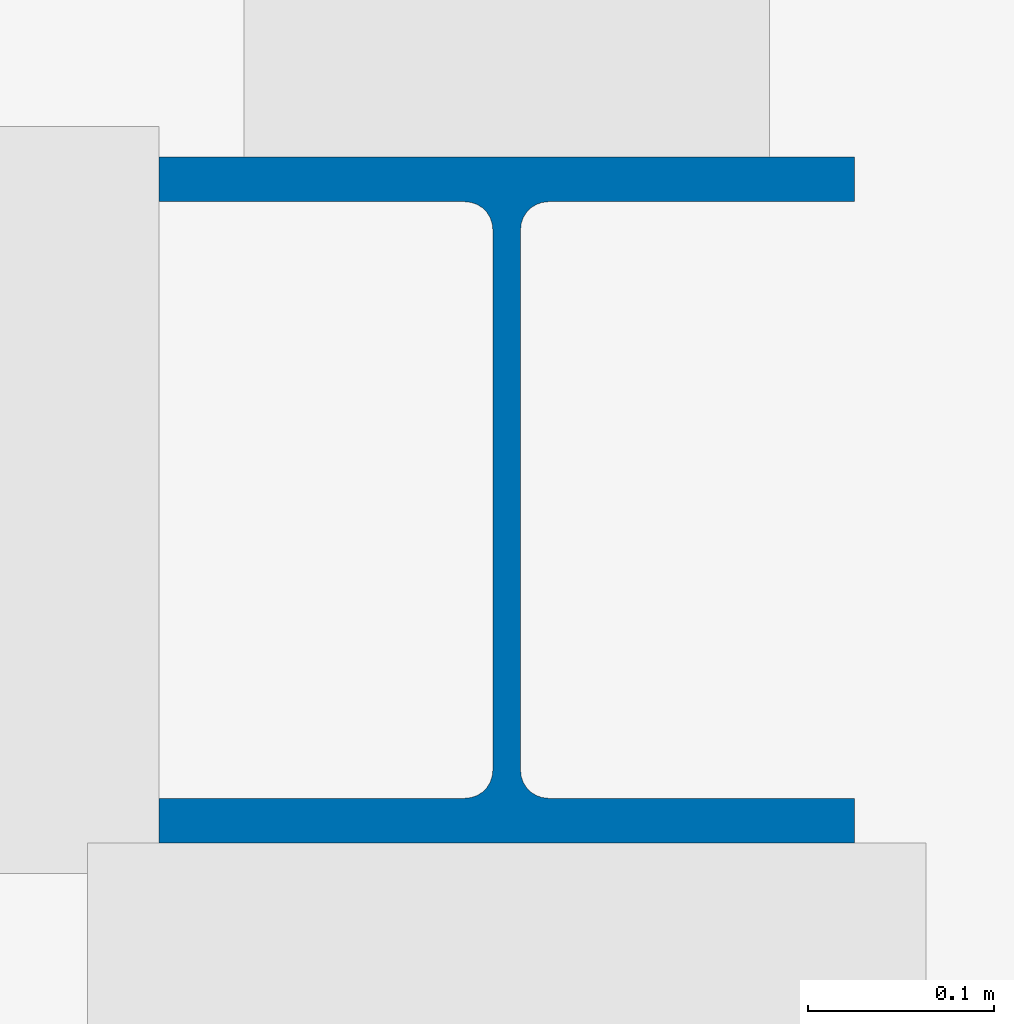
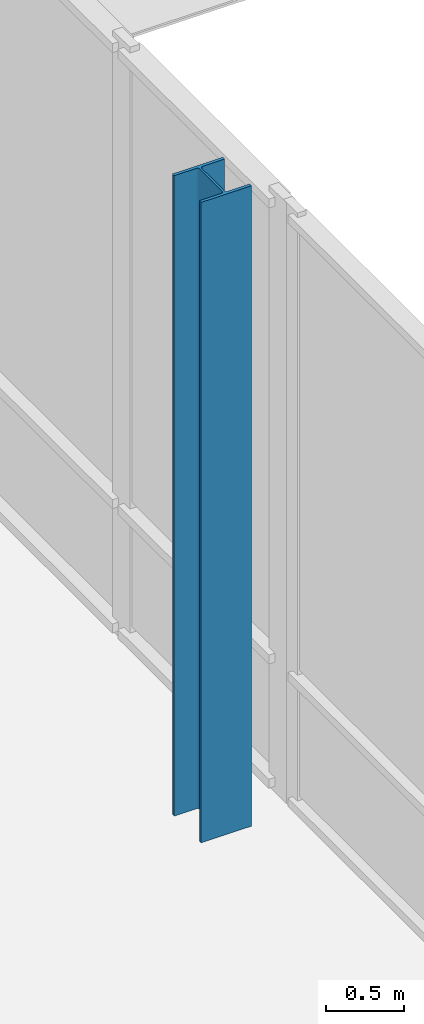
# One storey, part 12 of 88: 1 column.
"""IFC4 building model written with IfcOpenShell, lengths in metres."""

import ifcopenshell
import ifcopenshell.guid

model = None  # the IFC model being written
_history = None  # IfcOwnerHistory: only IFC2X3 demands one
_inside = {}  # id of a spatial element -> (the spatial element, [elements in it])
_under = {}  # id of a project, library or spatial element -> (it, [spatial elements below it])
_declared = {}  # id of a project -> (the project, [libraries it declares])
_typed = {}  # id of a type object -> (the type object, [elements of that type])
_made_of = {}  # id of a material, layer set ... -> (it, [elements and type objects made of it])


def new_model(schema):
    """Start an empty IFC model of exactly this schema.

    Asked for "IFC4X3", IfcOpenShell would pick the latest addendum, in which some entities
    have other attributes; the version numbers below select the first issue.
    IFC2X3 requires an IfcOwnerHistory on every rooted entity: one is made here for all.
    """
    global model, _history
    if schema == "IFC4X3":
        model = ifcopenshell.file(schema_version=(4, 3, 0, 0))
    else:
        model = ifcopenshell.file(schema=schema)
    _inside.clear()
    _under.clear()
    _declared.clear()
    _typed.clear()
    _made_of.clear()
    _history = None
    if model.schema == "IFC2X3":
        org = make("IfcOrganization", Name="unknown")
        user = make(
            "IfcPersonAndOrganization",
            ThePerson=make("IfcPerson", FamilyName="unknown"),
            TheOrganization=org,
        )
        app = make(
            "IfcApplication",
            ApplicationDeveloper=org,
            Version="unknown",
            ApplicationFullName="unknown",
            ApplicationIdentifier="unknown",
        )
        _history = make(
            "IfcOwnerHistory",
            OwningUser=user,
            OwningApplication=app,
            ChangeAction="ADDED",
            CreationDate=0,
        )
    return model


def make(cls, **values):
    """One entity of the class cls with the attributes given. An attribute that is None is left unset."""
    return model.create_entity(
        cls, **{name: value for name, value in values.items() if value is not None}
    )


def rooted(cls, **values):
    """An entity with a GlobalId (a new one), such as an element, a storey or a relation."""
    return make(cls, GlobalId=ifcopenshell.guid.new(), OwnerHistory=_history, **values)


def si_unit(unit_type, name, prefix=None):
    """IfcSIUnit, for example si_unit("LENGTHUNIT", "METRE", prefix="MILLI")."""
    return make("IfcSIUnit", UnitType=unit_type, Prefix=prefix, Name=name)


def assignment(units):
    """IfcUnitAssignment: the units of a project."""
    return None if units is None else make("IfcUnitAssignment", Units=units)


def point(xyz):
    """IfcCartesianPoint."""
    return None if xyz is None else make("IfcCartesianPoint", Coordinates=xyz)


def direction(xyz):
    """IfcDirection."""
    return None if xyz is None else make("IfcDirection", DirectionRatios=xyz)


def frame(location, z_axis=None, x_axis=None):
    """IfcAxis2Placement3D, a coordinate frame: its origin and axes. An axis left out is left unset."""
    return make(
        "IfcAxis2Placement3D",
        Location=point(location),
        Axis=direction(z_axis),
        RefDirection=direction(x_axis),
    )


def frame_2d(location, x_axis=None):
    """IfcAxis2Placement2D, a coordinate frame in the plane: its origin and x axis."""
    return make(
        "IfcAxis2Placement2D", Location=point(location), RefDirection=direction(x_axis)
    )


def origin():
    """The frame at (0, 0, 0) with its axes left unset."""
    return frame((0.0, 0.0, 0.0))


def origin_2d():
    """The frame at (0, 0) in the plane with its x axis left unset."""
    return frame_2d((0.0, 0.0))


def place(relative_to, where):
    """IfcLocalPlacement: puts the frame where relative to a parent placement (None: the world)."""
    return make(
        "IfcLocalPlacement", PlacementRelTo=relative_to, RelativePlacement=where
    )


def context(
    kind, dimensions, precision=None, world=None, true_north=None, identifier=None
):
    """IfcGeometricRepresentationContext, for example the 3D "Model" context."""
    return make(
        "IfcGeometricRepresentationContext",
        ContextIdentifier=identifier,
        ContextType=kind,
        CoordinateSpaceDimension=dimensions,
        Precision=precision,
        WorldCoordinateSystem=world,
        TrueNorth=true_north,
    )


def subcontext(parent, identifier, kind, view, scale=None):
    """IfcGeometricRepresentationSubContext, for example "Body" below "Model"."""
    return make(
        "IfcGeometricRepresentationSubContext",
        ContextIdentifier=identifier,
        ContextType=kind,
        ParentContext=parent,
        TargetScale=scale,
        TargetView=view,
    )


def project(units=None, contexts=None):
    """IfcProject with its units and contexts."""
    return rooted(
        "IfcProject",
        Name="project",
        RepresentationContexts=contexts,
        UnitsInContext=assignment(units),
    )


def spatial(cls, under=None, at=None, **own):
    """A site, building, storey or space (cls), placed at a placement, below another one or the project."""
    s = rooted(cls, ObjectPlacement=at, **own)
    if under is not None:
        _under.setdefault(under.id(), (under, []))[1].append(s)
    return s


def profile(cls, at=None, kind="AREA", **sizes):
    """A parametric profile (cls). Its sizes go by their IFC names, for example OverallWidth=200.0."""
    return make(cls, ProfileType=kind, Position=at, **sizes)


def i_section(**sizes):
    """IfcIShapeProfileDef."""
    return profile("IfcIShapeProfileDef", **sizes)


def extrude(swept, where, along, depth):
    """IfcExtrudedAreaSolid: the profile swept, set in the frame where, extruded along a direction by depth."""
    return make(
        "IfcExtrudedAreaSolid",
        SweptArea=swept,
        Position=where,
        ExtrudedDirection=direction(along),
        Depth=depth,
    )


def shape(context_of_items, identifier, shape_type, items):
    """IfcShapeRepresentation: the items that make up one representation, for example the "Body"."""
    return make(
        "IfcShapeRepresentation",
        ContextOfItems=context_of_items,
        RepresentationIdentifier=identifier,
        RepresentationType=shape_type,
        Items=items,
    )


def material(Name=None, Category=None):
    """IfcMaterial."""
    return make("IfcMaterial", Name=Name, Category=Category)


def material_profile(
    of_material, cross_section, Name=None, Category=None, Priority=None
):
    """IfcMaterialProfile: a cross section and its material."""
    return make(
        "IfcMaterialProfile",
        Name=Name,
        Material=of_material,
        Profile=cross_section,
        Priority=Priority,
        Category=Category,
    )


def profile_set(profiles, Name=None, composite=None):
    """IfcMaterialProfileSet."""
    return make(
        "IfcMaterialProfileSet",
        Name=Name,
        MaterialProfiles=profiles,
        CompositeProfile=composite,
    )


def made_of(thing, what):
    """Note that an element or type object is made of a material, layer set ...; save() writes the relation."""
    if what is not None:
        _made_of.setdefault(what.id(), (what, []))[1].append(thing)
    return thing


def type_object(cls, material=None, **own):
    """A type object (cls), such as IfcWallType, which elements share."""
    return made_of(rooted(cls, **own), material)


def element(
    cls,
    number,
    at=None,
    inside=None,
    cuts=None,
    type_object=None,
    material=None,
    context=None,
    identifier="Body",
    shape_type=None,
    held_by="IfcProductDefinitionShape",
    body=None,
    shapes=None,
    **own,
):
    """One element of the class cls, such as IfcWall. Its Tag is "e" and its number.

    at: its placement. inside: the storey or other place that contains it. cuts: it is an
    opening in that element (IfcRelVoidsElement). A single representation is given by context,
    identifier, shape_type and body (its items); several are given by shapes. held_by: the class
    of the entity that holds the representations. save() writes the other relations.
    """
    e = rooted(cls, Tag="e%d" % number, ObjectPlacement=at, **own)
    if body is not None:
        shapes = [shape(context, identifier, shape_type, body)]
    if shapes is not None:
        e.Representation = make(held_by, Representations=shapes)
    if inside is not None:
        _inside.setdefault(inside.id(), (inside, []))[1].append(e)
    if cuts is not None:
        rooted(
            "IfcRelVoidsElement", RelatingBuildingElement=cuts, RelatedOpeningElement=e
        )
    if type_object is not None:
        _typed.setdefault(type_object.id(), (type_object, []))[1].append(e)
    return made_of(e, material)


def aggregate(whole, parts):
    """IfcRelAggregates: a whole, such as a stair, and the parts it consists of."""
    return rooted("IfcRelAggregates", RelatingObject=whole, RelatedObjects=parts)


def save(model, path):
    """Write the relations noted so far, then the file.

    IfcRelAggregates (storeys below a building ...), IfcRelContainedInSpatialStructure (elements
    in a storey), IfcRelDefinesByType, IfcRelAssociatesMaterial and IfcRelDeclares: one each for
    every whole, place, type object, material and project.
    """
    for whole, parts in _under.values():
        aggregate(whole, parts)
    for where, things in _inside.values():
        rooted(
            "IfcRelContainedInSpatialStructure",
            RelatedElements=things,
            RelatingStructure=where,
        )
    for kind, things in _typed.values():
        rooted("IfcRelDefinesByType", RelatedObjects=things, RelatingType=kind)
    for what, things in _made_of.values():
        rooted("IfcRelAssociatesMaterial", RelatedObjects=things, RelatingMaterial=what)
    for by, libraries in _declared.values():
        rooted("IfcRelDeclares", RelatingContext=by, RelatedDefinitions=libraries)
    model.write(path)


model = new_model("IFC4")

# Units and contexts
model_context = context("Model", 3, precision=1e-05, world=origin(), true_north=direction((0.0, 1.0)))
body_context = subcontext(model_context, "Body", "Model", "MODEL_VIEW")
ifc_project = project(units=[si_unit("LENGTHUNIT", "METRE"), si_unit("AREAUNIT", "SQUARE_METRE"), si_unit("VOLUMEUNIT", "CUBIC_METRE"), si_unit("PLANEANGLEUNIT", "RADIAN"), si_unit("MASSUNIT", "GRAM", prefix="KILO")], contexts=[model_context])

# Site, building, storey
site_placement = place(None, origin())
site = spatial("IfcSite", under=ifc_project, at=site_placement, CompositionType="ELEMENT")
building_placement = place(site_placement, origin())
building = spatial("IfcBuilding", under=site, at=building_placement, Name="Trimount Lyric Opera House", CompositionType="ELEMENT")
storey_placement = place(building_placement, origin())
storey = spatial("IfcBuildingStorey", under=building, at=storey_placement, Name="L00", CompositionType="ELEMENT", Elevation=0.0)

# Column
ifc_material = material(Name="Steel ASTM A992 Grade 50", Category="steel")
ifc_material_profile = material_profile(ifc_material, i_section(OverallWidth=0.373046875, OverallDepth=0.367919921875, WebThickness=0.014892578125, FlangeThickness=0.02392578125, FilletRadius=0.014892578125, at=origin_2d()), Name="W14X120")
ifc_profile_set = profile_set([ifc_material_profile], Name="Steel ASTM A992 Grade 50")
column_type = type_object("IfcColumnType", Name="C-08", PredefinedType="COLUMN", material=ifc_profile_set)
column_placement = place(storey_placement, frame((122.0, 93.0, 0.0), z_axis=(0.0, 0.0, 1.0), x_axis=(1.0, 0.0, 0.0)))
element("IfcColumn", 1, at=column_placement, inside=storey, type_object=column_type, Name="L00 column 14/L", PredefinedType="COLUMN", context=body_context, shape_type="SweptSolid", body=[
    extrude(i_section(OverallWidth=0.373046875, OverallDepth=0.367919921875, WebThickness=0.014892578125, FlangeThickness=0.02392578125, FilletRadius=0.014892578125, at=origin_2d()), origin(), (0.0, 0.0, 1.0), 5.0),
])

save(model, "model.ifc")
